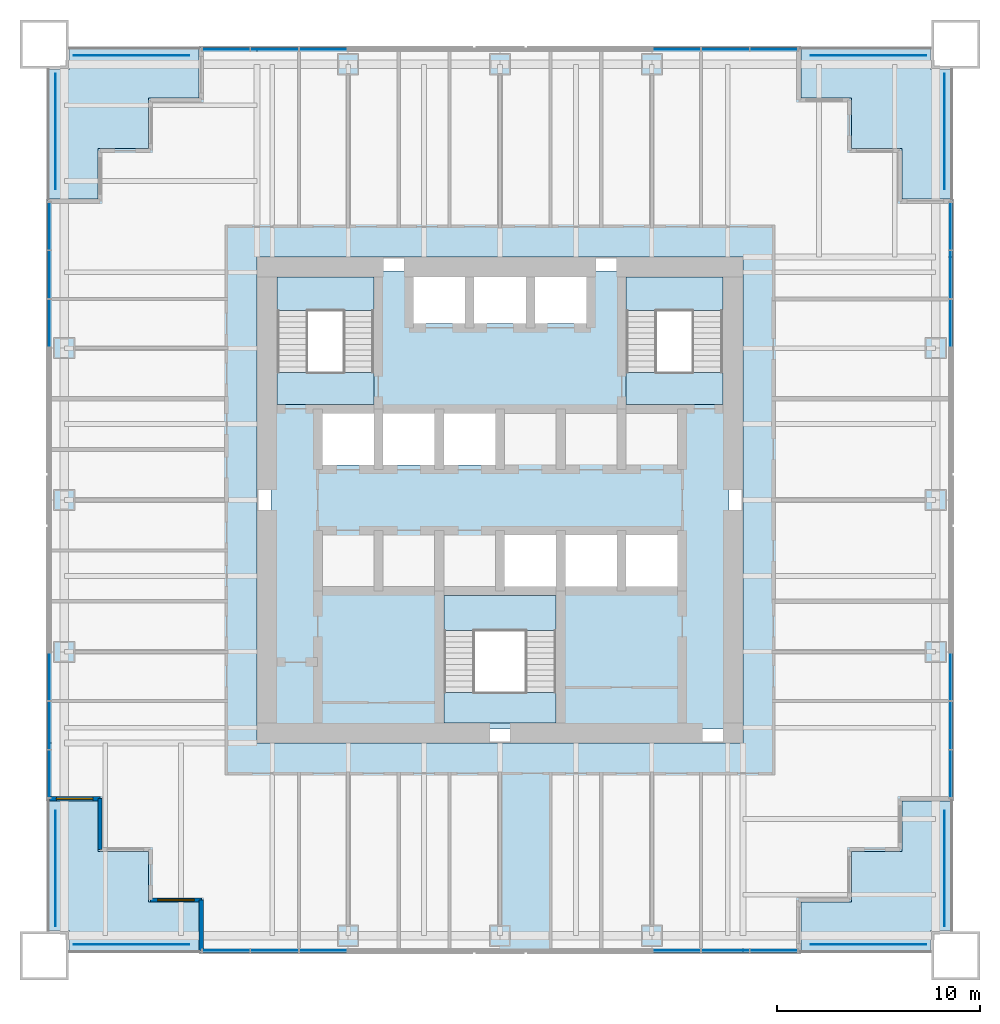
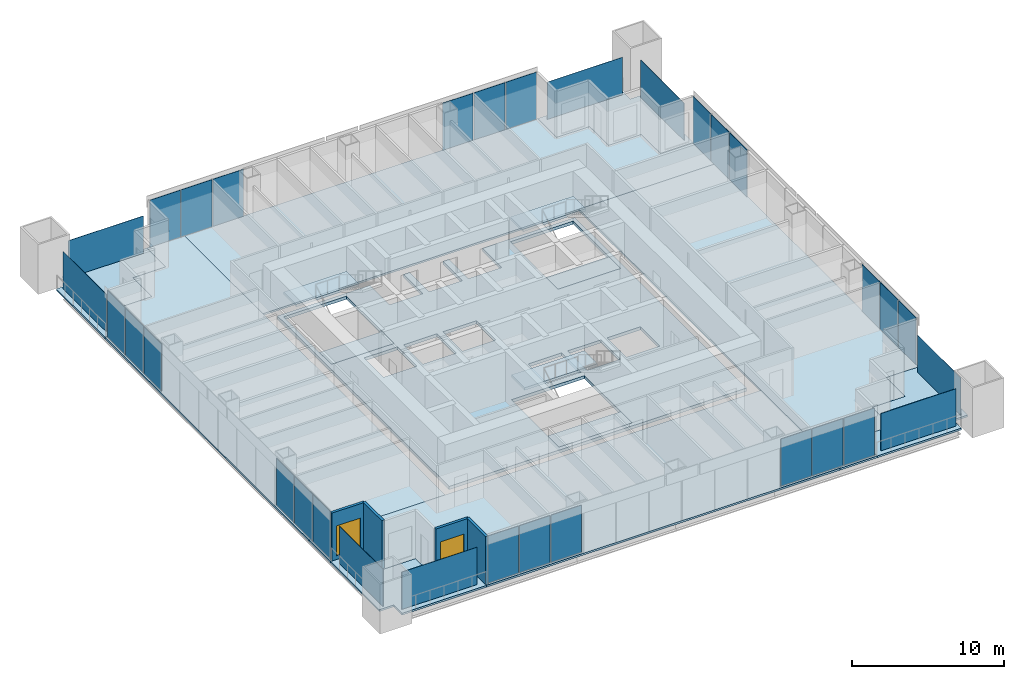
# One storey, part 7 of 14: 32 plates, 15 slabs, 4 walls, 2 windows, 2 openings, 11 elements without a shape of their own.
"""IFC4 building model written with IfcOpenShell, lengths in metres."""

from ifc_helpers import new_model, si_unit, direction, frame, frame_2d, origin, origin_2d, place, context, subcontext, project, spatial, polyline, rectangle, outline, extrude, material, layer, layer_set, type_object, element, fill, aggregate, save


model = new_model("IFC4")

# Units and contexts
model_context = context("Model", 3, precision=1e-05, world=origin(), true_north=direction((0.0, 1.0)))
body_context = subcontext(model_context, "Body", "Model", "MODEL_VIEW")
ifc_project = project(units=[si_unit("LENGTHUNIT", "METRE"), si_unit("AREAUNIT", "SQUARE_METRE"), si_unit("VOLUMEUNIT", "CUBIC_METRE"), si_unit("PLANEANGLEUNIT", "RADIAN"), si_unit("MASSUNIT", "GRAM", prefix="KILO")], contexts=[model_context])

# Site, building, storey
site_placement = place(None, origin())
site = spatial("IfcSite", under=ifc_project, at=site_placement, CompositionType="ELEMENT")
building_placement = place(site_placement, origin())
building = spatial("IfcBuilding", under=site, at=building_placement, Name="Tarangal Relay Tower", CompositionType="ELEMENT")
storey_placement = place(building_placement, frame((0.0, 0.0, 229.89990234375)))
storey = spatial("IfcBuildingStorey", under=building, at=storey_placement, Name="L49", CompositionType="ELEMENT", Elevation=229.89990234375)

# Slabs
ifc_material_1 = material(Name="Concrete fc' 35 MPa", Category="concrete")
ifc_layer_1 = layer(ifc_material_1, 0.25)
ifc_layer_set_1 = layer_set([ifc_layer_1], Name="Core floor slab 250")
slab_type_1 = type_object("IfcSlabType", Name="Core floor slab 250", PredefinedType="FLOOR", material=ifc_layer_set_1)
slab_1_placement = place(storey_placement, frame((0.0, 0.0, -0.25)))
element("IfcSlab", 1, at=slab_1_placement, inside=storey, type_object=slab_type_1, Name="Core floor slab L49", PredefinedType="FLOOR", context=body_context, shape_type="SweptSolid", body=[
    extrude(outline(polyline([(11.300048828125, 11.300048828125), (11.300048828125, -11.300048828125), (-11.300048828125, -11.300048828125), (-11.300048828125, 11.300048828125), (-4.27490234375, 11.300048828125), (-4.27490234375, 8.72509765625), (-1.72509765625, 8.72509765625), (-1.72509765625, 11.300048828125), (-1.27490234375, 11.300048828125), (-1.27490234375, 8.72509765625), (1.27490234375, 8.72509765625), (1.27490234375, 11.300048828125), (1.72509765625, 11.300048828125), (1.72509765625, 8.72509765625), (4.27490234375, 8.72509765625), (4.27490234375, 11.300048828125), (11.300048828125, 11.300048828125)]), holes=[polyline([(-6.22509765625, 4.27490234375), (-8.77490234375, 4.27490234375), (-8.77490234375, 1.72509765625), (-6.22509765625, 1.72509765625), (-6.22509765625, 4.27490234375)]), polyline([(-3.22509765625, 1.72509765625), (-3.22509765625, 4.27490234375), (-5.77490234375, 4.27490234375), (-5.77490234375, 1.72509765625), (-3.22509765625, 1.72509765625)]), polyline([(-0.22509765625, 1.72509765625), (-0.22509765625, 4.27490234375), (-2.77490234375, 4.27490234375), (-2.77490234375, 1.72509765625), (-0.22509765625, 1.72509765625)]), polyline([(-6.22509765625, 11.0), (-11.0, 11.0), (-11.0, 4.72509765625), (-6.22509765625, 4.72509765625), (-6.22509765625, 11.0)]), polyline([(2.77490234375, -4.72509765625), (-2.77490234375, -4.72509765625), (-2.77490234375, -11.0), (2.77490234375, -11.0), (2.77490234375, -4.72509765625)]), polyline([(2.77490234375, -4.27490234375), (2.77490234375, -1.72509765625), (0.22509765625, -1.72509765625), (0.22509765625, -4.27490234375), (2.77490234375, -4.27490234375)]), polyline([(5.77490234375, -4.27490234375), (5.77490234375, -1.72509765625), (3.22509765625, -1.72509765625), (3.22509765625, -4.27490234375), (5.77490234375, -4.27490234375)]), polyline([(8.77490234375, -1.72509765625), (6.22509765625, -1.72509765625), (6.22509765625, -4.27490234375), (8.77490234375, -4.27490234375), (8.77490234375, -1.72509765625)]), polyline([(11.0, 4.72509765625), (11.0, 11.0), (6.22509765625, 11.0), (6.22509765625, 4.72509765625), (11.0, 4.72509765625)])]), origin(), (0.0, 0.0, 1.0), 0.25),
])
ifc_layer_2 = layer(ifc_material_1, 0.14990234375)
ifc_layer_set_2 = layer_set([ifc_layer_2], Name="Floor slab 150")
slab_type_2 = type_object("IfcSlabType", Name="Floor slab 150", PredefinedType="FLOOR", material=ifc_layer_set_2)
slab_2_placement = place(storey_placement, frame((0.0, 0.0, -0.14990234375)))
element("IfcSlab", 2, at=slab_2_placement, inside=storey, type_object=slab_type_2, Name="Floor slab FS3 L49 north bay", PredefinedType="FLOOR", context=body_context, shape_type="SweptSolid", body=[
    extrude(outline(polyline([(14.85009765625, 22.35009765625), (14.85009765625, 19.85009765625), (17.35009765625, 19.85009765625), (17.35009765625, 17.35009765625), (19.85009765625, 17.35009765625), (19.85009765625, 14.85009765625), (22.35009765625, 14.85009765625), (22.35009765625, 12.0), (-12.0, 12.0), (-12.0, 22.35009765625), (14.85009765625, 22.35009765625)])), origin(), (0.0, 0.0, 1.0), 0.14990234375),
])
slab_3_placement = place(storey_placement, frame((0.0, 0.0, -0.14990234375)))
element("IfcSlab", 3, at=slab_3_placement, inside=storey, type_object=slab_type_2, Name="Floor slab FS3 L49 east bay", PredefinedType="FLOOR", context=body_context, shape_type="SweptSolid", body=[
    extrude(outline(polyline([(22.35009765625, -14.85009765625), (19.85009765625, -14.85009765625), (19.85009765625, -17.35009765625), (17.35009765625, -17.35009765625), (17.35009765625, -19.85009765625), (14.85009765625, -19.85009765625), (14.85009765625, -22.35009765625), (12.0, -22.35009765625), (12.0, 12.0), (22.35009765625, 12.0), (22.35009765625, -14.85009765625)])), origin(), (0.0, 0.0, 1.0), 0.14990234375),
])
slab_4_placement = place(storey_placement, frame((0.0, 0.0, -0.14990234375)))
element("IfcSlab", 4, at=slab_4_placement, inside=storey, type_object=slab_type_2, Name="Floor slab FS3 L49 south bay", PredefinedType="FLOOR", context=body_context, shape_type="SweptSolid", body=[
    extrude(outline(polyline([(-14.85009765625, -22.35009765625), (-14.85009765625, -19.85009765625), (-17.35009765625, -19.85009765625), (-17.35009765625, -17.35009765625), (-19.85009765625, -17.35009765625), (-19.85009765625, -14.85009765625), (-22.35009765625, -14.85009765625), (-22.35009765625, -12.0), (12.0, -12.0), (12.0, -22.35009765625), (-14.85009765625, -22.35009765625)])), origin(), (0.0, 0.0, 1.0), 0.14990234375),
])
slab_5_placement = place(storey_placement, frame((0.0, 0.0, -0.14990234375)))
element("IfcSlab", 5, at=slab_5_placement, inside=storey, type_object=slab_type_2, Name="Floor slab FS3 L49 west bay", PredefinedType="FLOOR", context=body_context, shape_type="SweptSolid", body=[
    extrude(outline(polyline([(-12.0, 22.35009765625), (-12.0, -12.0), (-22.35009765625, -12.0), (-22.35009765625, 14.85009765625), (-19.85009765625, 14.85009765625), (-19.85009765625, 17.35009765625), (-17.35009765625, 17.35009765625), (-17.35009765625, 19.85009765625), (-14.85009765625, 19.85009765625), (-14.85009765625, 22.35009765625), (-12.0, 22.35009765625)])), origin(), (0.0, 0.0, 1.0), 0.14990234375),
])

# Curtain wall, plates
ifc_material_2 = material(Name="Unitised curtain wall, dark glass and black aluminium", Category="aluminium")
curtain_wall_type = type_object("IfcCurtainWallType", Name="Curtain wall CW-A", PredefinedType="USERDEFINED", material=ifc_material_2)
curtain_wall_1_placement = place(storey_placement, origin())
curtain_wall_1 = element("IfcCurtainWall", 6, at=curtain_wall_1_placement, inside=storey, type_object=curtain_wall_type, Name="Curtain wall CW-A N facade L49", ObjectType="UNITISED CURTAIN WALL", PredefinedType="USERDEFINED")
ifc_material_3 = material(Name="Dark tinted insulated glass unit", Category="glass")
ifc_layer_3 = layer(ifc_material_3, 0.031982421875)
ifc_layer_set_3 = layer_set([ifc_layer_3], Name="Glazed panel CW-A 32")
plate_type_1 = type_object("IfcPlateType", Name="Glazed panel CW-A 32", PredefinedType="CURTAIN_PANEL", material=ifc_layer_set_3)
plate_1_placement = place(storey_placement, frame((-13.525390625, 22.25, 0.06494140625), z_axis=(0.0, 0.0, 1.0), x_axis=(1.0, 0.0, 0.0)))
plate_1 = element("IfcPlate", 7, at=plate_1_placement, type_object=plate_type_1, Name="CW-A panel 1.1", PredefinedType="CURTAIN_PANEL", context=body_context, shape_type="SweptSolid", body=[
    extrude(rectangle(XDim=2.319091796875, YDim=0.031982421875, at=origin_2d()), origin(), (0.0, 0.0, 1.0), 3.784912109375),
])
plate_2_placement = place(storey_placement, frame((-11.125, 22.25, 0.06494140625), z_axis=(0.0, 0.0, 1.0), x_axis=(1.0, 0.0, 0.0)))
plate_2 = element("IfcPlate", 8, at=plate_2_placement, type_object=plate_type_1, Name="CW-A panel 2.1", PredefinedType="CURTAIN_PANEL", context=body_context, shape_type="SweptSolid", body=[
    extrude(rectangle(XDim=2.3515625, YDim=0.031982421875, at=origin_2d()), origin(), (0.0, 0.0, 1.0), 3.784912109375),
])
plate_3_placement = place(storey_placement, frame((-8.724609375, 22.25, 0.06494140625), z_axis=(0.0, 0.0, 1.0), x_axis=(1.0, 0.0, 0.0)))
plate_3 = element("IfcPlate", 9, at=plate_3_placement, type_object=plate_type_1, Name="CW-A panel 3.1", PredefinedType="CURTAIN_PANEL", context=body_context, shape_type="SweptSolid", body=[
    extrude(rectangle(XDim=2.319091796875, YDim=0.031982421875, at=origin_2d()), origin(), (0.0, 0.0, 1.0), 3.784912109375),
])
aggregate(curtain_wall_1, [plate_1, plate_2, plate_3])

curtain_wall_2_placement = place(storey_placement, origin())
curtain_wall_2 = element("IfcCurtainWall", 10, at=curtain_wall_2_placement, inside=storey, type_object=curtain_wall_type, Name="Curtain wall CW-A N facade L49", ObjectType="UNITISED CURTAIN WALL", PredefinedType="USERDEFINED")
plate_4_placement = place(storey_placement, frame((8.724609375, 22.25, 0.06494140625), z_axis=(0.0, 0.0, 1.0), x_axis=(1.0, 0.0, 0.0)))
plate_4 = element("IfcPlate", 11, at=plate_4_placement, type_object=plate_type_1, Name="CW-A panel 1.1", PredefinedType="CURTAIN_PANEL", context=body_context, shape_type="SweptSolid", body=[
    extrude(rectangle(XDim=2.319091796875, YDim=0.031982421875, at=origin_2d()), origin(), (0.0, 0.0, 1.0), 3.784912109375),
])
plate_5_placement = place(storey_placement, frame((11.125, 22.25, 0.06494140625), z_axis=(0.0, 0.0, 1.0), x_axis=(1.0, 0.0, 0.0)))
plate_5 = element("IfcPlate", 12, at=plate_5_placement, type_object=plate_type_1, Name="CW-A panel 2.1", PredefinedType="CURTAIN_PANEL", context=body_context, shape_type="SweptSolid", body=[
    extrude(rectangle(XDim=2.3515625, YDim=0.031982421875, at=origin_2d()), origin(), (0.0, 0.0, 1.0), 3.784912109375),
])
plate_6_placement = place(storey_placement, frame((13.525390625, 22.25, 0.06494140625), z_axis=(0.0, 0.0, 1.0), x_axis=(1.0, 0.0, 0.0)))
plate_6 = element("IfcPlate", 13, at=plate_6_placement, type_object=plate_type_1, Name="CW-A panel 3.1", PredefinedType="CURTAIN_PANEL", context=body_context, shape_type="SweptSolid", body=[
    extrude(rectangle(XDim=2.319091796875, YDim=0.031982421875, at=origin_2d()), origin(), (0.0, 0.0, 1.0), 3.784912109375),
])
aggregate(curtain_wall_2, [plate_4, plate_5, plate_6])

curtain_wall_3_placement = place(storey_placement, origin())
curtain_wall_3 = element("IfcCurtainWall", 14, at=curtain_wall_3_placement, inside=storey, type_object=curtain_wall_type, Name="Curtain wall CW-A E facade L49", ObjectType="UNITISED CURTAIN WALL", PredefinedType="USERDEFINED")
plate_7_placement = place(storey_placement, frame((22.25, 13.525390625, 0.06494140625), z_axis=(0.0, 0.0, 1.0), x_axis=(0.0, -1.0, 0.0)))
plate_7 = element("IfcPlate", 15, at=plate_7_placement, type_object=plate_type_1, Name="CW-A panel 1.1", PredefinedType="CURTAIN_PANEL", context=body_context, shape_type="SweptSolid", body=[
    extrude(rectangle(XDim=2.319091796875, YDim=0.031982421875, at=origin_2d()), origin(), (0.0, 0.0, 1.0), 3.784912109375),
])
plate_8_placement = place(storey_placement, frame((22.25, 11.125, 0.06494140625), z_axis=(0.0, 0.0, 1.0), x_axis=(0.0, -1.0, 0.0)))
plate_8 = element("IfcPlate", 16, at=plate_8_placement, type_object=plate_type_1, Name="CW-A panel 2.1", PredefinedType="CURTAIN_PANEL", context=body_context, shape_type="SweptSolid", body=[
    extrude(rectangle(XDim=2.3515625, YDim=0.031982421875, at=origin_2d()), origin(), (0.0, 0.0, 1.0), 3.784912109375),
])
plate_9_placement = place(storey_placement, frame((22.25, 8.724609375, 0.06494140625), z_axis=(0.0, 0.0, 1.0), x_axis=(0.0, -1.0, 0.0)))
plate_9 = element("IfcPlate", 17, at=plate_9_placement, type_object=plate_type_1, Name="CW-A panel 3.1", PredefinedType="CURTAIN_PANEL", context=body_context, shape_type="SweptSolid", body=[
    extrude(rectangle(XDim=2.319091796875, YDim=0.031982421875, at=origin_2d()), origin(), (0.0, 0.0, 1.0), 3.784912109375),
])
aggregate(curtain_wall_3, [plate_7, plate_8, plate_9])

curtain_wall_4_placement = place(storey_placement, origin())
curtain_wall_4 = element("IfcCurtainWall", 18, at=curtain_wall_4_placement, inside=storey, type_object=curtain_wall_type, Name="Curtain wall CW-A E facade L49", ObjectType="UNITISED CURTAIN WALL", PredefinedType="USERDEFINED")
plate_10_placement = place(storey_placement, frame((22.25, -8.724609375, 0.06494140625), z_axis=(0.0, 0.0, 1.0), x_axis=(0.0, -1.0, 0.0)))
plate_10 = element("IfcPlate", 19, at=plate_10_placement, type_object=plate_type_1, Name="CW-A panel 1.1", PredefinedType="CURTAIN_PANEL", context=body_context, shape_type="SweptSolid", body=[
    extrude(rectangle(XDim=2.319091796875, YDim=0.031982421875, at=origin_2d()), origin(), (0.0, 0.0, 1.0), 3.784912109375),
])
plate_11_placement = place(storey_placement, frame((22.25, -11.125, 0.06494140625), z_axis=(0.0, 0.0, 1.0), x_axis=(0.0, -1.0, 0.0)))
plate_11 = element("IfcPlate", 20, at=plate_11_placement, type_object=plate_type_1, Name="CW-A panel 2.1", PredefinedType="CURTAIN_PANEL", context=body_context, shape_type="SweptSolid", body=[
    extrude(rectangle(XDim=2.3515625, YDim=0.031982421875, at=origin_2d()), origin(), (0.0, 0.0, 1.0), 3.784912109375),
])
plate_12_placement = place(storey_placement, frame((22.25, -13.525390625, 0.06494140625), z_axis=(0.0, 0.0, 1.0), x_axis=(0.0, -1.0, 0.0)))
plate_12 = element("IfcPlate", 21, at=plate_12_placement, type_object=plate_type_1, Name="CW-A panel 3.1", PredefinedType="CURTAIN_PANEL", context=body_context, shape_type="SweptSolid", body=[
    extrude(rectangle(XDim=2.319091796875, YDim=0.031982421875, at=origin_2d()), origin(), (0.0, 0.0, 1.0), 3.784912109375),
])
aggregate(curtain_wall_4, [plate_10, plate_11, plate_12])

curtain_wall_5_placement = place(storey_placement, origin())
curtain_wall_5 = element("IfcCurtainWall", 22, at=curtain_wall_5_placement, inside=storey, type_object=curtain_wall_type, Name="Curtain wall CW-A S facade L49", ObjectType="UNITISED CURTAIN WALL", PredefinedType="USERDEFINED")
plate_13_placement = place(storey_placement, frame((13.525390625, -22.25, 0.06494140625), z_axis=(0.0, 0.0, 1.0), x_axis=(-1.0, 0.0, 0.0)))
plate_13 = element("IfcPlate", 23, at=plate_13_placement, type_object=plate_type_1, Name="CW-A panel 1.1", PredefinedType="CURTAIN_PANEL", context=body_context, shape_type="SweptSolid", body=[
    extrude(rectangle(XDim=2.319091796875, YDim=0.031982421875, at=origin_2d()), origin(), (0.0, 0.0, 1.0), 3.784912109375),
])
plate_14_placement = place(storey_placement, frame((11.125, -22.25, 0.06494140625), z_axis=(0.0, 0.0, 1.0), x_axis=(-1.0, 0.0, 0.0)))
plate_14 = element("IfcPlate", 24, at=plate_14_placement, type_object=plate_type_1, Name="CW-A panel 2.1", PredefinedType="CURTAIN_PANEL", context=body_context, shape_type="SweptSolid", body=[
    extrude(rectangle(XDim=2.3515625, YDim=0.031982421875, at=origin_2d()), origin(), (0.0, 0.0, 1.0), 3.784912109375),
])
plate_15_placement = place(storey_placement, frame((8.724609375, -22.25, 0.06494140625), z_axis=(0.0, 0.0, 1.0), x_axis=(-1.0, 0.0, 0.0)))
plate_15 = element("IfcPlate", 25, at=plate_15_placement, type_object=plate_type_1, Name="CW-A panel 3.1", PredefinedType="CURTAIN_PANEL", context=body_context, shape_type="SweptSolid", body=[
    extrude(rectangle(XDim=2.319091796875, YDim=0.031982421875, at=origin_2d()), origin(), (0.0, 0.0, 1.0), 3.784912109375),
])
aggregate(curtain_wall_5, [plate_13, plate_14, plate_15])

curtain_wall_6_placement = place(storey_placement, origin())
curtain_wall_6 = element("IfcCurtainWall", 26, at=curtain_wall_6_placement, inside=storey, type_object=curtain_wall_type, Name="Curtain wall CW-A S facade L49", ObjectType="UNITISED CURTAIN WALL", PredefinedType="USERDEFINED")
plate_16_placement = place(storey_placement, frame((-8.724609375, -22.25, 0.06494140625), z_axis=(0.0, 0.0, 1.0), x_axis=(-1.0, 0.0, 0.0)))
plate_16 = element("IfcPlate", 27, at=plate_16_placement, type_object=plate_type_1, Name="CW-A panel 1.1", PredefinedType="CURTAIN_PANEL", context=body_context, shape_type="SweptSolid", body=[
    extrude(rectangle(XDim=2.319091796875, YDim=0.031982421875, at=origin_2d()), origin(), (0.0, 0.0, 1.0), 3.784912109375),
])
plate_17_placement = place(storey_placement, frame((-11.125, -22.25, 0.06494140625), z_axis=(0.0, 0.0, 1.0), x_axis=(-1.0, 0.0, 0.0)))
plate_17 = element("IfcPlate", 28, at=plate_17_placement, type_object=plate_type_1, Name="CW-A panel 2.1", PredefinedType="CURTAIN_PANEL", context=body_context, shape_type="SweptSolid", body=[
    extrude(rectangle(XDim=2.3515625, YDim=0.031982421875, at=origin_2d()), origin(), (0.0, 0.0, 1.0), 3.784912109375),
])
plate_18_placement = place(storey_placement, frame((-13.525390625, -22.25, 0.06494140625), z_axis=(0.0, 0.0, 1.0), x_axis=(-1.0, 0.0, 0.0)))
plate_18 = element("IfcPlate", 29, at=plate_18_placement, type_object=plate_type_1, Name="CW-A panel 3.1", PredefinedType="CURTAIN_PANEL", context=body_context, shape_type="SweptSolid", body=[
    extrude(rectangle(XDim=2.319091796875, YDim=0.031982421875, at=origin_2d()), origin(), (0.0, 0.0, 1.0), 3.784912109375),
])
aggregate(curtain_wall_6, [plate_16, plate_17, plate_18])

curtain_wall_7_placement = place(storey_placement, origin())
curtain_wall_7 = element("IfcCurtainWall", 30, at=curtain_wall_7_placement, inside=storey, type_object=curtain_wall_type, Name="Curtain wall CW-A W facade L49", ObjectType="UNITISED CURTAIN WALL", PredefinedType="USERDEFINED")
plate_19_placement = place(storey_placement, frame((-22.25, -13.525390625, 0.06494140625), z_axis=(0.0, 0.0, 1.0), x_axis=(0.0, 1.0, 0.0)))
plate_19 = element("IfcPlate", 31, at=plate_19_placement, type_object=plate_type_1, Name="CW-A panel 1.1", PredefinedType="CURTAIN_PANEL", context=body_context, shape_type="SweptSolid", body=[
    extrude(rectangle(XDim=2.319091796875, YDim=0.031982421875, at=origin_2d()), origin(), (0.0, 0.0, 1.0), 3.784912109375),
])
plate_20_placement = place(storey_placement, frame((-22.25, -11.125, 0.06494140625), z_axis=(0.0, 0.0, 1.0), x_axis=(0.0, 1.0, 0.0)))
plate_20 = element("IfcPlate", 32, at=plate_20_placement, type_object=plate_type_1, Name="CW-A panel 2.1", PredefinedType="CURTAIN_PANEL", context=body_context, shape_type="SweptSolid", body=[
    extrude(rectangle(XDim=2.3515625, YDim=0.031982421875, at=origin_2d()), origin(), (0.0, 0.0, 1.0), 3.784912109375),
])
plate_21_placement = place(storey_placement, frame((-22.25, -8.724609375, 0.06494140625), z_axis=(0.0, 0.0, 1.0), x_axis=(0.0, 1.0, 0.0)))
plate_21 = element("IfcPlate", 33, at=plate_21_placement, type_object=plate_type_1, Name="CW-A panel 3.1", PredefinedType="CURTAIN_PANEL", context=body_context, shape_type="SweptSolid", body=[
    extrude(rectangle(XDim=2.319091796875, YDim=0.031982421875, at=origin_2d()), origin(), (0.0, 0.0, 1.0), 3.784912109375),
])
aggregate(curtain_wall_7, [plate_19, plate_20, plate_21])

curtain_wall_8_placement = place(storey_placement, origin())
curtain_wall_8 = element("IfcCurtainWall", 34, at=curtain_wall_8_placement, inside=storey, type_object=curtain_wall_type, Name="Curtain wall CW-A W facade L49", ObjectType="UNITISED CURTAIN WALL", PredefinedType="USERDEFINED")
plate_22_placement = place(storey_placement, frame((-22.25, 8.724609375, 0.06494140625), z_axis=(0.0, 0.0, 1.0), x_axis=(0.0, 1.0, 0.0)))
plate_22 = element("IfcPlate", 35, at=plate_22_placement, type_object=plate_type_1, Name="CW-A panel 1.1", PredefinedType="CURTAIN_PANEL", context=body_context, shape_type="SweptSolid", body=[
    extrude(rectangle(XDim=2.319091796875, YDim=0.031982421875, at=origin_2d()), origin(), (0.0, 0.0, 1.0), 3.784912109375),
])
plate_23_placement = place(storey_placement, frame((-22.25, 11.125, 0.06494140625), z_axis=(0.0, 0.0, 1.0), x_axis=(0.0, 1.0, 0.0)))
plate_23 = element("IfcPlate", 36, at=plate_23_placement, type_object=plate_type_1, Name="CW-A panel 2.1", PredefinedType="CURTAIN_PANEL", context=body_context, shape_type="SweptSolid", body=[
    extrude(rectangle(XDim=2.3515625, YDim=0.031982421875, at=origin_2d()), origin(), (0.0, 0.0, 1.0), 3.784912109375),
])
plate_24_placement = place(storey_placement, frame((-22.25, 13.525390625, 0.06494140625), z_axis=(0.0, 0.0, 1.0), x_axis=(0.0, 1.0, 0.0)))
plate_24 = element("IfcPlate", 37, at=plate_24_placement, type_object=plate_type_1, Name="CW-A panel 3.1", PredefinedType="CURTAIN_PANEL", context=body_context, shape_type="SweptSolid", body=[
    extrude(rectangle(XDim=2.319091796875, YDim=0.031982421875, at=origin_2d()), origin(), (0.0, 0.0, 1.0), 3.784912109375),
])
aggregate(curtain_wall_8, [plate_22, plate_23, plate_24])

# Plates
ifc_material_4 = material(Name="Black stainless steel cable trellis with climbing planting", Category="steel")
ifc_layer_4 = layer(ifc_material_4, 0.030029296875)
ifc_layer_set_4 = layer_set([ifc_layer_4], Name="Planted trellis screen")
plate_type_2 = type_object("IfcPlateType", Name="Planted trellis screen", PredefinedType="SHEET", material=ifc_layer_set_4)
for number, where, z_axis, x_axis, name in (
    (38, (21.949951171875, 18.199951171875, 0.0), (0.0, 0.0, 1.0), (0.0, -1.0, 0.0), "Planted trellis SC2 NE L49"),
    (39, (18.199951171875, -21.949951171875, 0.0), (0.0, 0.0, 1.0), (-1.0, 0.0, 0.0), "Planted trellis SC2 SE L49"),
    (40, (-21.949951171875, -18.199951171875, 0.0), (0.0, 0.0, 1.0), (0.0, 1.0, 0.0), "Planted trellis SC2 SW L49"),
    (41, (-18.199951171875, 21.949951171875, 0.0), (0.0, 0.0, 1.0), (1.0, 0.0, 0.0), "Planted trellis SC2 NW L49"),
):
    element("IfcPlate", number, at=place(storey_placement, frame(where, z_axis=z_axis, x_axis=x_axis)), inside=storey, type_object=plate_type_2, Name=name, PredefinedType="SHEET", context=body_context, shape_type="SweptSolid", body=[
        extrude(rectangle(XDim=5.699951171875, YDim=0.030029296875, at=origin_2d()), origin(), (0.0, 0.0, 1.0), 3.0),
    ])

# Stair, slabs
ifc_material_5 = material(Name="Steel ASTM A992 stair flight", Category="steel")
stair_type = type_object("IfcStairType", Name="Core stair 1500", PredefinedType="HALF_TURN_STAIR", material=ifc_material_5)
stair_1_placement = place(storey_placement, origin())
stair_1 = element("IfcStair", 42, at=stair_1_placement, inside=storey, type_object=stair_type, Name="Stair ST-A L49", PredefinedType="HALF_TURN_STAIR")
ifc_layer_5 = layer(ifc_material_1, 0.199951171875)
ifc_layer_set_5 = layer_set([ifc_layer_5], Name="Stair landing 200")
slab_type_3 = type_object("IfcSlabType", Name="Stair landing 200", PredefinedType="LANDING", material=ifc_layer_set_5)
slab_6_placement = place(storey_placement, frame((0.0, 0.0, -0.199951171875)))
slab_6 = element("IfcSlab", 43, at=slab_6_placement, type_object=slab_type_3, Name="ST-A landing 1", PredefinedType="LANDING", context=body_context, shape_type="SweptSolid", body=[
    extrude(outline(polyline([(-11.0, 4.72509765625), (-6.22509765625, 4.72509765625), (-6.22509765625, 6.300048828125), (-11.0, 6.300048828125), (-11.0, 4.72509765625)])), origin(), (0.0, 0.0, 1.0), 0.199951171875),
])
slab_7_placement = place(storey_placement, frame((0.0, 0.0, 1.800048828125)))
slab_7 = element("IfcSlab", 44, at=slab_7_placement, type_object=slab_type_3, Name="ST-A landing 2", PredefinedType="LANDING", context=body_context, shape_type="SweptSolid", body=[
    extrude(outline(polyline([(-11.0, 9.346923828125), (-6.22509765625, 9.346923828125), (-6.22509765625, 11.0), (-11.0, 11.0), (-11.0, 9.346923828125)])), origin(), (0.0, 0.0, 1.0), 0.199951171875),
])
aggregate(stair_1, [slab_6, slab_7])

stair_2_placement = place(storey_placement, origin())
stair_2 = element("IfcStair", 45, at=stair_2_placement, inside=storey, type_object=stair_type, Name="Stair ST-B L49", PredefinedType="HALF_TURN_STAIR")
slab_8_placement = place(storey_placement, frame((0.0, 0.0, -0.199951171875)))
slab_8 = element("IfcSlab", 46, at=slab_8_placement, type_object=slab_type_3, Name="ST-B landing 1", PredefinedType="LANDING", context=body_context, shape_type="SweptSolid", body=[
    extrude(outline(polyline([(6.22509765625, 4.72509765625), (11.0, 4.72509765625), (11.0, 6.300048828125), (6.22509765625, 6.300048828125), (6.22509765625, 4.72509765625)])), origin(), (0.0, 0.0, 1.0), 0.199951171875),
])
slab_9_placement = place(storey_placement, frame((0.0, 0.0, 1.800048828125)))
slab_9 = element("IfcSlab", 47, at=slab_9_placement, type_object=slab_type_3, Name="ST-B landing 2", PredefinedType="LANDING", context=body_context, shape_type="SweptSolid", body=[
    extrude(outline(polyline([(6.22509765625, 9.346923828125), (11.0, 9.346923828125), (11.0, 11.0), (6.22509765625, 11.0), (6.22509765625, 9.346923828125)])), origin(), (0.0, 0.0, 1.0), 0.199951171875),
])
aggregate(stair_2, [slab_8, slab_9])

stair_3_placement = place(storey_placement, origin())
stair_3 = element("IfcStair", 48, at=stair_3_placement, inside=storey, type_object=stair_type, Name="Stair ST-C L49", PredefinedType="HALF_TURN_STAIR")
slab_10_placement = place(storey_placement, frame((0.0, 0.0, -0.199951171875)))
slab_10 = element("IfcSlab", 49, at=slab_10_placement, type_object=slab_type_3, Name="ST-C landing 1", PredefinedType="LANDING", context=body_context, shape_type="SweptSolid", body=[
    extrude(outline(polyline([(-2.77490234375, -11.0), (2.77490234375, -11.0), (2.77490234375, -9.5), (-2.77490234375, -9.5), (-2.77490234375, -11.0)])), origin(), (0.0, 0.0, 1.0), 0.199951171875),
])
slab_11_placement = place(storey_placement, frame((0.0, 0.0, 1.800048828125)))
slab_11 = element("IfcSlab", 50, at=slab_11_placement, type_object=slab_type_3, Name="ST-C landing 2", PredefinedType="LANDING", context=body_context, shape_type="SweptSolid", body=[
    extrude(outline(polyline([(-2.77490234375, -6.452880859375), (2.77490234375, -6.452880859375), (2.77490234375, -4.72509765625), (-2.77490234375, -4.72509765625), (-2.77490234375, -6.452880859375)])), origin(), (0.0, 0.0, 1.0), 0.199951171875),
])
aggregate(stair_3, [slab_10, slab_11])

# Plates
ifc_material_6 = material(Name="Perforated black aluminium screen", Category="aluminium")
ifc_layer_6 = layer(ifc_material_6, 0.02001953125)
ifc_layer_set_6 = layer_set([ifc_layer_6], Name="Terrace screen panel")
plate_type_3 = type_object("IfcPlateType", Name="Terrace screen panel", PredefinedType="SHEET", material=ifc_layer_set_6)
for number, where, z_axis, x_axis, name in (
    (51, (18.199951171875, 21.949951171875, 0.0), (0.0, 0.0, 1.0), (1.0, 0.0, 0.0), "Terrace screen SC1 NE L49"),
    (52, (21.949951171875, -18.199951171875, 0.0), (0.0, 0.0, 1.0), (0.0, -1.0, 0.0), "Terrace screen SC1 SE L49"),
    (53, (-18.199951171875, -21.949951171875, 0.0), (0.0, 0.0, 1.0), (-1.0, 0.0, 0.0), "Terrace screen SC1 SW L49"),
    (54, (-21.949951171875, 18.199951171875, 0.0), (0.0, 0.0, 1.0), (0.0, 1.0, 0.0), "Terrace screen SC1 NW L49"),
):
    element("IfcPlate", number, at=place(storey_placement, frame(where, z_axis=z_axis, x_axis=x_axis)), inside=storey, type_object=plate_type_3, Name=name, PredefinedType="SHEET", context=body_context, shape_type="SweptSolid", body=[
        extrude(rectangle(XDim=5.699951171875, YDim=0.02001953125, at=origin_2d()), origin(), (0.0, 0.0, 1.0), 3.0),
    ])

# Slabs
ifc_layer_7 = layer(ifc_material_1, 0.14990234375)
ifc_layer_set_7 = layer_set([ifc_layer_7], Name="Terrace slab 150")
slab_type_4 = type_object("IfcSlabType", Name="Terrace slab 150", PredefinedType="FLOOR", material=ifc_layer_set_7)
slab_12_placement = place(storey_placement, frame((0.0, 0.0, -0.14990234375)))
element("IfcSlab", 55, at=slab_12_placement, inside=storey, type_object=slab_type_4, Name="Corner terrace NE L49", PredefinedType="FLOOR", context=body_context, shape_type="SweptSolid", body=[
    extrude(outline(polyline([(14.85009765625, 22.35009765625), (14.85009765625, 19.85009765625), (17.35009765625, 19.85009765625), (17.35009765625, 17.35009765625), (19.85009765625, 17.35009765625), (19.85009765625, 14.85009765625), (22.35009765625, 14.85009765625), (22.35009765625, 21.25), (21.25, 21.25), (21.25, 22.35009765625), (14.85009765625, 22.35009765625)])), origin(), (0.0, 0.0, 1.0), 0.14990234375),
])
slab_13_placement = place(storey_placement, frame((0.0, 0.0, -0.14990234375)))
element("IfcSlab", 56, at=slab_13_placement, inside=storey, type_object=slab_type_4, Name="Corner terrace SE L49", PredefinedType="FLOOR", context=body_context, shape_type="SweptSolid", body=[
    extrude(outline(polyline([(22.35009765625, -14.85009765625), (19.85009765625, -14.85009765625), (19.85009765625, -17.35009765625), (17.35009765625, -17.35009765625), (17.35009765625, -19.85009765625), (14.85009765625, -19.85009765625), (14.85009765625, -22.35009765625), (21.25, -22.35009765625), (21.25, -21.25), (22.35009765625, -21.25), (22.35009765625, -14.85009765625)])), origin(), (0.0, 0.0, 1.0), 0.14990234375),
])
slab_14_placement = place(storey_placement, frame((0.0, 0.0, -0.14990234375)))
element("IfcSlab", 57, at=slab_14_placement, inside=storey, type_object=slab_type_4, Name="Corner terrace SW L49", PredefinedType="FLOOR", context=body_context, shape_type="SweptSolid", body=[
    extrude(outline(polyline([(-14.85009765625, -22.35009765625), (-14.85009765625, -19.85009765625), (-17.35009765625, -19.85009765625), (-17.35009765625, -17.35009765625), (-19.85009765625, -17.35009765625), (-19.85009765625, -14.85009765625), (-22.35009765625, -14.85009765625), (-22.35009765625, -21.25), (-21.25, -21.25), (-21.25, -22.35009765625), (-14.85009765625, -22.35009765625)])), origin(), (0.0, 0.0, 1.0), 0.14990234375),
])
slab_15_placement = place(storey_placement, frame((0.0, 0.0, -0.14990234375)))
element("IfcSlab", 58, at=slab_15_placement, inside=storey, type_object=slab_type_4, Name="Corner terrace NW L49", PredefinedType="FLOOR", context=body_context, shape_type="SweptSolid", body=[
    extrude(outline(polyline([(-22.35009765625, 14.85009765625), (-19.85009765625, 14.85009765625), (-19.85009765625, 17.35009765625), (-17.35009765625, 17.35009765625), (-17.35009765625, 19.85009765625), (-14.85009765625, 19.85009765625), (-14.85009765625, 22.35009765625), (-21.25, 22.35009765625), (-21.25, 21.25), (-22.35009765625, 21.25), (-22.35009765625, 14.85009765625)])), origin(), (0.0, 0.0, 1.0), 0.14990234375),
])

# Wall
ifc_material_7 = material(Name="Black metal clad insulated wall", Category="steel")
ifc_layer_8 = layer(ifc_material_7, 0.199951171875)
ifc_layer_set_8 = layer_set([ifc_layer_8], Name="Corner wall metal clad 200")
wall_type = type_object("IfcWallType", Name="Corner wall metal clad 200", PredefinedType="SOLIDWALL", material=ifc_layer_set_8)
wall_1_placement = place(storey_placement, frame((-14.75, -22.25, 0.0), z_axis=(0.0, 0.0, 1.0), x_axis=(0.0, 1.0, 0.0)))
element("IfcWall", 59, at=wall_1_placement, inside=storey, type_object=wall_type, Name="Facade wall S facade L49", PredefinedType="SOLIDWALL", context=body_context, shape_type="SweptSolid", body=[
    extrude(rectangle(XDim=2.5, YDim=0.199951171875, at=frame_2d((1.25, 0.0))), origin(), (0.0, 0.0, 1.0), 3.85009765625),
])

# Wall, opening, window
wall_2_placement = place(storey_placement, frame((-14.75, -19.75, 0.0), z_axis=(0.0, 0.0, 1.0), x_axis=(-1.0, 0.0, 0.0)))
wall_2 = element("IfcWall", 60, at=wall_2_placement, inside=storey, type_object=wall_type, Name="Facade wall S facade L49", PredefinedType="SOLIDWALL", context=body_context, shape_type="SweptSolid", body=[
    extrude(rectangle(XDim=2.5, YDim=0.199951171875, at=frame_2d((1.25, 0.0))), origin(), (0.0, 0.0, 1.0), 3.85009765625),
])
opening_1_placement = place(wall_2_placement, frame((0.35009765625, 0.0, 0.300048828125)))
opening_1 = element("IfcOpeningElement", 61, at=opening_1_placement, cuts=wall_2, Name="Opening WN2", PredefinedType="OPENING", context=body_context, shape_type="SweptSolid", body=[
    extrude(rectangle(XDim=1.800048828125, YDim=2.39990234375, at=frame_2d((0.89990234375, 1.199951171875))), frame((0.0, 0.10986328125, 0.0), z_axis=(0.0, -1.0, 0.0), x_axis=(1.0, 0.0, 0.0)), (0.0, 0.0, 1.0), 0.219970703125),
])
ifc_material_8 = material(Name="Dark tinted double glazing in black aluminium frame", Category="aluminium")
window_type = type_object("IfcWindowType", Name="Corner window 1800 x 2400", PartitioningType="SINGLE_PANEL", PredefinedType="WINDOW", material=ifc_material_8)
window_1_placement = place(opening_1_placement, origin())
window_1 = element("IfcWindow", 62, at=window_1_placement, inside=storey, type_object=window_type, Name="Corner window WN2 S facade L49", OverallHeight=2.39990234375, OverallWidth=1.800048828125, PartitioningType="SINGLE_PANEL", PredefinedType="WINDOW", context=body_context, shape_type="SweptSolid", body=[
    extrude(rectangle(XDim=1.800048828125, YDim=2.39990234375, at=frame_2d((0.89990234375, 1.199951171875))), frame((0.0, 0.030029296875, 0.0), z_axis=(0.0, -1.0, 0.0), x_axis=(1.0, 0.0, 0.0)), (0.0, 0.0, 1.0), 0.06005859375),
])
fill(opening_1, window_1)

# Wall
wall_3_placement = place(storey_placement, frame((-19.75, -17.25, 0.0), z_axis=(0.0, 0.0, 1.0), x_axis=(0.0, 1.0, 0.0)))
element("IfcWall", 63, at=wall_3_placement, inside=storey, type_object=wall_type, Name="Facade wall S facade L49", PredefinedType="SOLIDWALL", context=body_context, shape_type="SweptSolid", body=[
    extrude(rectangle(XDim=2.5, YDim=0.199951171875, at=frame_2d((1.25, 0.0))), origin(), (0.0, 0.0, 1.0), 3.85009765625),
])

# Wall, opening, window
wall_4_placement = place(storey_placement, frame((-19.75, -14.75, 0.0), z_axis=(0.0, 0.0, 1.0), x_axis=(-1.0, 0.0, 0.0)))
wall_4 = element("IfcWall", 64, at=wall_4_placement, inside=storey, type_object=wall_type, Name="Facade wall S facade L49", PredefinedType="SOLIDWALL", context=body_context, shape_type="SweptSolid", body=[
    extrude(rectangle(XDim=2.5, YDim=0.199951171875, at=frame_2d((1.25, 0.0))), origin(), (0.0, 0.0, 1.0), 3.85009765625),
])
opening_2_placement = place(wall_4_placement, frame((0.35009765625, 0.0, 0.300048828125)))
opening_2 = element("IfcOpeningElement", 65, at=opening_2_placement, cuts=wall_4, Name="Opening WN2", PredefinedType="OPENING", context=body_context, shape_type="SweptSolid", body=[
    extrude(rectangle(XDim=1.800048828125, YDim=2.39990234375, at=frame_2d((0.89990234375, 1.199951171875))), frame((0.0, 0.10986328125, 0.0), z_axis=(0.0, -1.0, 0.0), x_axis=(1.0, 0.0, 0.0)), (0.0, 0.0, 1.0), 0.219970703125),
])
window_2_placement = place(opening_2_placement, origin())
window_2 = element("IfcWindow", 66, at=window_2_placement, inside=storey, type_object=window_type, Name="Corner window WN2 S facade L49", OverallHeight=2.39990234375, OverallWidth=1.800048828125, PartitioningType="SINGLE_PANEL", PredefinedType="WINDOW", context=body_context, shape_type="SweptSolid", body=[
    extrude(rectangle(XDim=1.800048828125, YDim=2.39990234375, at=frame_2d((0.89990234375, 1.199951171875))), frame((0.0, 0.030029296875, 0.0), z_axis=(0.0, -1.0, 0.0), x_axis=(1.0, 0.0, 0.0)), (0.0, 0.0, 1.0), 0.06005859375),
])
fill(opening_2, window_2)

save(model, "model.ifc")
